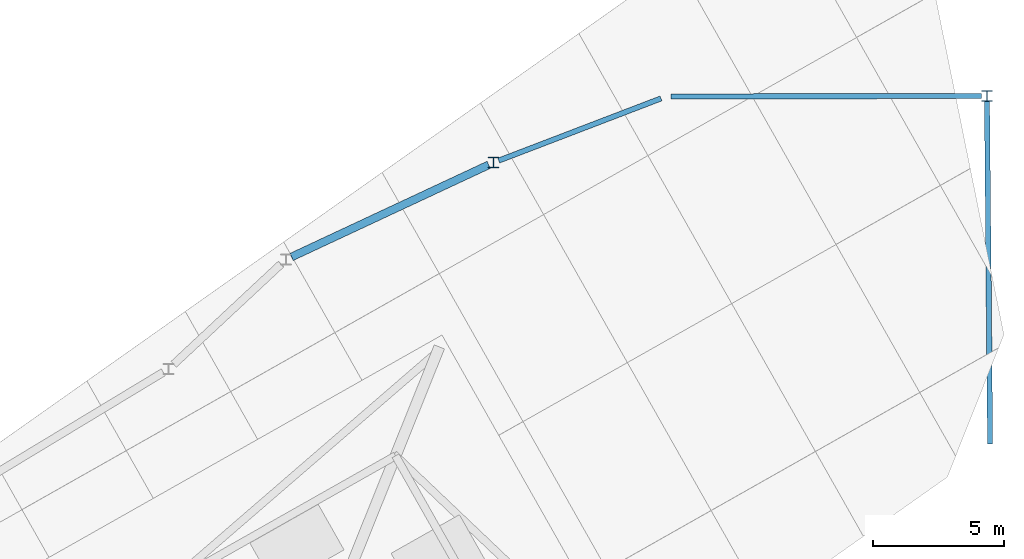
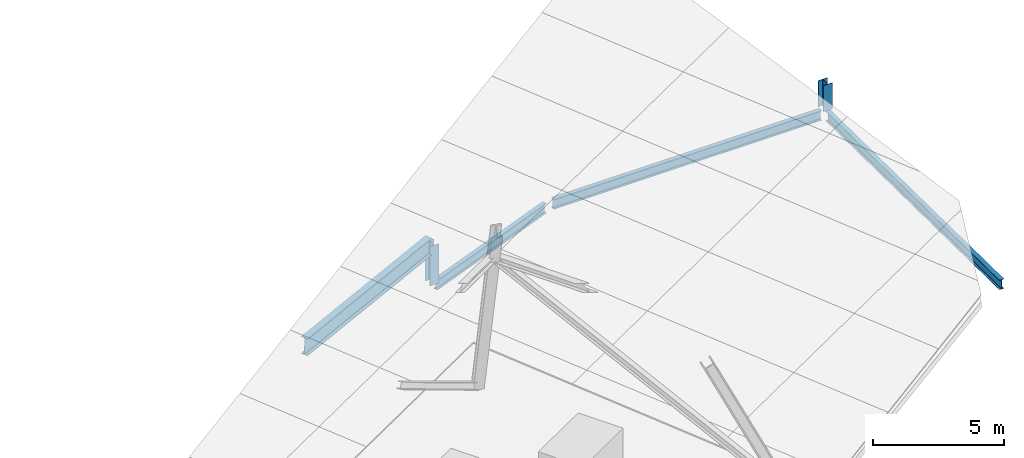
# One storey, part 2 of 5: 3 beams, 3 members.
"""IFC4 building model written with IfcOpenShell, lengths in metres."""

from ifc_helpers import new_model, si_unit, direction, frame, origin, origin_2d, place, context, subcontext, project, spatial, i_section, extrude, material, material_profile, profile_set, type_object, element, save


model = new_model("IFC4")

# Units and contexts
model_context = context("Model", 3, precision=1e-05, world=origin(), true_north=direction((0.0, 1.0)))
body_context = subcontext(model_context, "Body", "Model", "MODEL_VIEW")
ifc_project = project(units=[si_unit("LENGTHUNIT", "METRE"), si_unit("AREAUNIT", "SQUARE_METRE"), si_unit("VOLUMEUNIT", "CUBIC_METRE"), si_unit("PLANEANGLEUNIT", "RADIAN"), si_unit("MASSUNIT", "GRAM", prefix="KILO")], contexts=[model_context])

# Site, building, storey
site_placement = place(None, origin())
site = spatial("IfcSite", under=ifc_project, at=site_placement, CompositionType="ELEMENT")
building_placement = place(site_placement, origin())
building = spatial("IfcBuilding", under=site, at=building_placement, Name="Binnacle Exchange Tower", CompositionType="ELEMENT")
storey_placement = place(building_placement, frame((0.0, 0.0, 372.10009765625)))
storey = spatial("IfcBuildingStorey", under=building, at=storey_placement, Name="RF", CompositionType="ELEMENT", Elevation=372.10009765625)

# Beam
ifc_material = material(Name="Steel S355 (SHN355)", Category="steel")
ifc_material_profile_1 = material_profile(ifc_material, i_section(OverallWidth=0.199951171875, OverallDepth=0.449951171875, WebThickness=0.009033203125, FlangeThickness=0.013916015625, FilletRadius=0.01806640625, at=origin_2d()), Name="H 450x200x9x14")
ifc_profile_set_1 = profile_set([ifc_material_profile_1], Name="Steel S355 (SHN355)")
beam_type_1 = type_object("IfcBeamType", Name="Edge girder H 450x200x9x14 Steel S355 (SHN355)", PredefinedType="SPANDREL", material=ifc_profile_set_1)
beam_1_placement = place(storey_placement, frame((-10.76220703125, 46.28662109375, -0.525146484375), z_axis=(-0.009040716184, 0.99995913189, 0.0), x_axis=(-0.99995913189, -0.009040716184, 0.0)))
element("IfcBeam", 1, at=beam_1_placement, inside=storey, type_object=beam_type_1, Name="S:BM:edge:RF:004", PredefinedType="SPANDREL", context=body_context, shape_type="SweptSolid", body=[
    extrude(i_section(OverallWidth=0.199951171875, OverallDepth=0.449951171875, WebThickness=0.009033203125, FlangeThickness=0.013916015625, FilletRadius=0.01806640625, at=origin_2d()), origin(), (0.0, 0.0, 1.0), 13.09716796875),
])

# Members
ifc_material_profile_2 = material_profile(ifc_material, i_section(OverallWidth=0.39990234375, OverallDepth=0.39990234375, WebThickness=0.012939453125, FlangeThickness=0.02099609375, FilletRadius=0.02197265625, at=origin_2d()), Name="H 400x400x13x21")
ifc_profile_set_2 = profile_set([ifc_material_profile_2], Name="Steel S355 (SHN355)")
member_type_1 = type_object("IfcMemberType", Name="Roof post RP1 H 400x400x13x21 Steel S355 (SHN355)", PredefinedType="POST", material=ifc_profile_set_2)
member_1_placement = place(storey_placement, frame((-10.88232421875, 59.5869140625, -0.300048828125), z_axis=(0.0, 0.0, 1.0), x_axis=(1.0, 0.0, 0.0)))
element("IfcMember", 2, at=member_1_placement, inside=storey, type_object=member_type_1, Name="S:RP:01", PredefinedType="POST", context=body_context, shape_type="SweptSolid", body=[
    extrude(i_section(OverallWidth=0.39990234375, OverallDepth=0.39990234375, WebThickness=0.012939453125, FlangeThickness=0.02099609375, FilletRadius=0.02197265625, at=origin_2d()), origin(), (0.0, 0.0, 1.0), 1.220458984375),
])
member_2_placement = place(storey_placement, frame((-29.729248046875, 57.04150390625, -0.300048828125), z_axis=(0.0, 0.0, 1.0), x_axis=(1.0, 0.0, 0.0)))
element("IfcMember", 3, at=member_2_placement, inside=storey, type_object=member_type_1, Name="S:RP:02", PredefinedType="POST", context=body_context, shape_type="SweptSolid", body=[
    extrude(i_section(OverallWidth=0.39990234375, OverallDepth=0.39990234375, WebThickness=0.012939453125, FlangeThickness=0.02099609375, FilletRadius=0.02197265625, at=origin_2d()), origin(), (0.0, 0.0, 1.0), 1.838623046875),
])
ifc_material_profile_3 = material_profile(ifc_material, i_section(OverallWidth=0.300048828125, OverallDepth=0.800048828125, WebThickness=0.013916015625, FlangeThickness=0.02587890625, FilletRadius=0.028076171875, at=origin_2d()), Name="H 800x300x14x26")
ifc_profile_set_3 = profile_set([ifc_material_profile_3], Name="Steel S355 (SHN355)")
member_type_2 = type_object("IfcMemberType", Name="Roof ring beam RB1 H 800x300x14x26 Steel S355 (SHN355)", PredefinedType="MEMBER", material=ifc_profile_set_3)
member_3_placement = place(storey_placement, frame((-29.916259765625, 56.9541015625, 1.5400390625), z_axis=(-0.90594900933, -0.423332421832, 0.00678624493), x_axis=(0.423342170058, -0.90596987094, 0.0)))
element("IfcMember", 4, at=member_3_placement, inside=storey, type_object=member_type_2, Name="S:RB:01", PredefinedType="MEMBER", context=body_context, shape_type="SweptSolid", body=[
    extrude(i_section(OverallWidth=0.300048828125, OverallDepth=0.800048828125, WebThickness=0.013916015625, FlangeThickness=0.02587890625, FilletRadius=0.028076171875, at=origin_2d()), origin(), (0.0, 0.0, 1.0), 8.310302734375),
])

# Beams
ifc_material_profile_4 = material_profile(ifc_material, i_section(OverallWidth=0.199951171875, OverallDepth=0.449951171875, WebThickness=0.009033203125, FlangeThickness=0.013916015625, FilletRadius=0.01806640625, at=origin_2d()), Name="H 450x200x9x14")
ifc_profile_set_4 = profile_set([ifc_material_profile_4], Name="Steel S355 (SHN355)")
beam_type_2 = type_object("IfcBeamType", Name="Spine girder H 450x200x9x14 Steel S355 (SHN355)", PredefinedType="BEAM", material=ifc_profile_set_4)
beam_2_placement = place(storey_placement, frame((-23.3359375, 59.490478515625, -0.525146484375), z_axis=(-0.933819880573, -0.357743526352, 0.0), x_axis=(0.357743526352, -0.933819880573, 0.0)))
element("IfcBeam", 5, at=beam_2_placement, inside=storey, type_object=beam_type_2, Name="S:BM:spine:RF:001", PredefinedType="BEAM", context=body_context, shape_type="SweptSolid", body=[
    extrude(i_section(OverallWidth=0.199951171875, OverallDepth=0.449951171875, WebThickness=0.009033203125, FlangeThickness=0.013916015625, FilletRadius=0.01806640625, at=origin_2d()), origin(), (0.0, 0.0, 1.0), 6.635498046875),
])
beam_3_placement = place(storey_placement, frame((-22.942626953125, 59.56396484375, -0.525146484375), z_axis=(0.999998205615, 0.001894403981, 0.0), x_axis=(-0.001894403981, 0.999998205615, 0.0)))
element("IfcBeam", 6, at=beam_3_placement, inside=storey, type_object=beam_type_2, Name="S:BM:spine:RF:002", PredefinedType="BEAM", context=body_context, shape_type="SweptSolid", body=[
    extrude(i_section(OverallWidth=0.199951171875, OverallDepth=0.449951171875, WebThickness=0.009033203125, FlangeThickness=0.013916015625, FilletRadius=0.01806640625, at=origin_2d()), origin(), (0.0, 0.0, 1.0), 11.8564453125),
])

save(model, "model.ifc")
